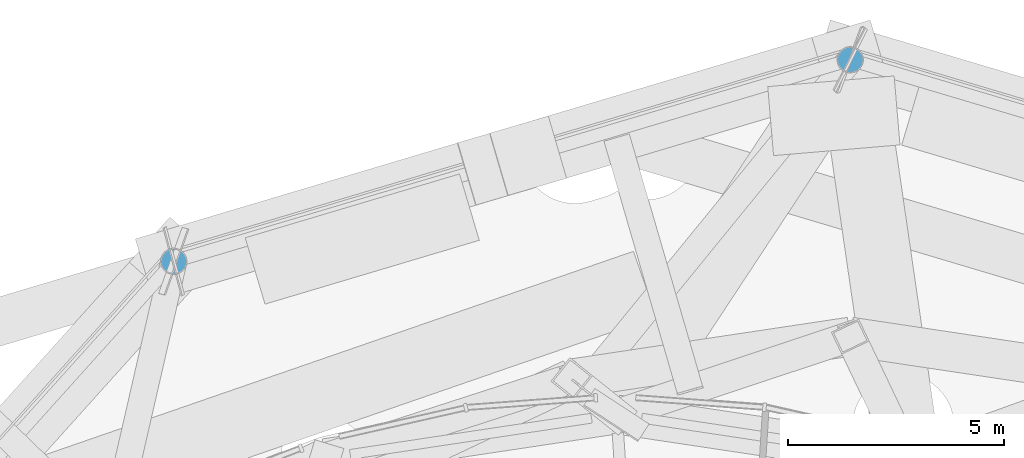
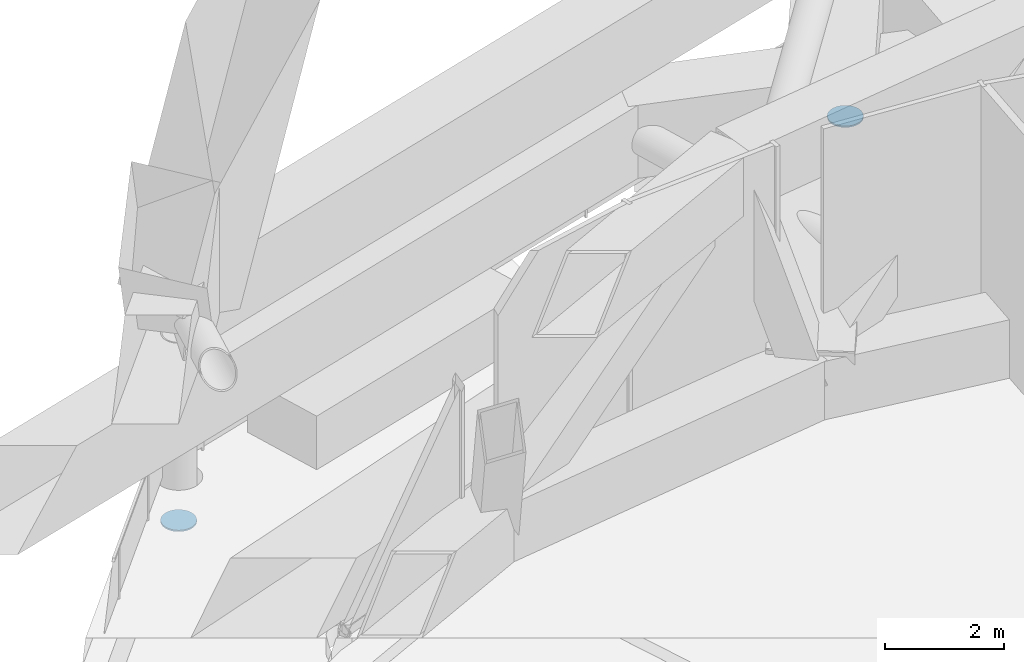
# One storey, part 46 of 49: 2 discrete accessories.
"""IFC4 building model written with IfcOpenShell, lengths in metres."""

from ifc_helpers import new_model, si_unit, direction, frame, origin, origin_2d, place, context, subcontext, project, spatial, circle, extrude, material, layer, layer_set, type_object, element, save


model = new_model("IFC4")

# Units and contexts
model_context = context("Model", 3, precision=1e-05, world=origin(), true_north=direction((0.0, 1.0)))
body_context = subcontext(model_context, "Body", "Model", "MODEL_VIEW")
ifc_project = project(units=[si_unit("LENGTHUNIT", "METRE"), si_unit("AREAUNIT", "SQUARE_METRE"), si_unit("VOLUMEUNIT", "CUBIC_METRE"), si_unit("PLANEANGLEUNIT", "RADIAN"), si_unit("MASSUNIT", "GRAM", prefix="KILO")], contexts=[model_context])

# Site, building, storey
site_placement = place(None, origin())
site = spatial("IfcSite", under=ifc_project, at=site_placement, CompositionType="ELEMENT")
building_placement = place(site_placement, origin())
building = spatial("IfcBuilding", under=site, at=building_placement, Name="Nagisa Residences", CompositionType="ELEMENT")
storey_placement = place(building_placement, frame((0.0, 0.0, 160.300048828125)))
storey = spatial("IfcBuildingStorey", under=building, at=storey_placement, Name="L40", CompositionType="ELEMENT", Elevation=160.300048828125)

# Discrete accessories
ifc_material = material(Name="Steel ASTM A572 Gr 50", Category="steel")
ifc_layer = layer(ifc_material, 0.030029296875)
ifc_layer_set = layer_set([ifc_layer], Name="End plate")
discrete_accessory_type = type_object("IfcDiscreteAccessoryType", Name="End plate", PredefinedType="ANCHORPLATE", material=ifc_layer_set)
for number, where, z_axis, x_axis, name in (
    (1, (3.60009765625, 34.77490234375, -0.89013671875), (0.0, 0.0, -1.0), (1.0, 0.0, 0.0), "End plate DH304"),
    (2, (-12.03759765625, 30.115966796875, -0.89013671875), (0.0, 0.0, -1.0), (1.0, 0.0, 0.0), "End plate DH305"),
):
    element("IfcDiscreteAccessory", number, at=place(storey_placement, frame(where, z_axis=z_axis, x_axis=x_axis)), inside=storey, type_object=discrete_accessory_type, Name=name, PredefinedType="ANCHORPLATE", context=body_context, shape_type="SweptSolid", body=[
        extrude(circle(Radius=0.304931640625, at=origin_2d()), origin(), (0.0, 0.0, 1.0), 0.030029296875),
    ])

save(model, "model.ifc")
